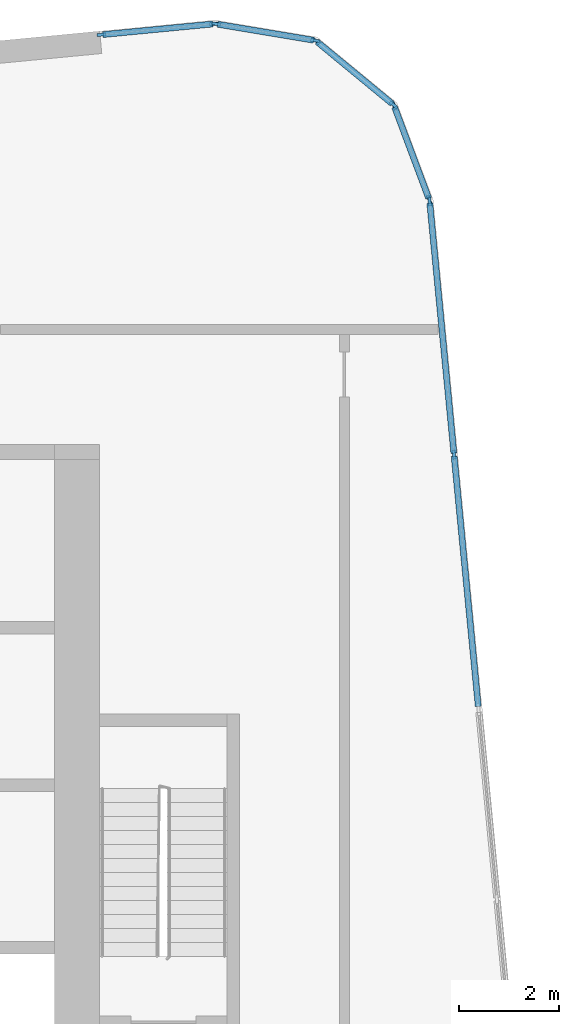
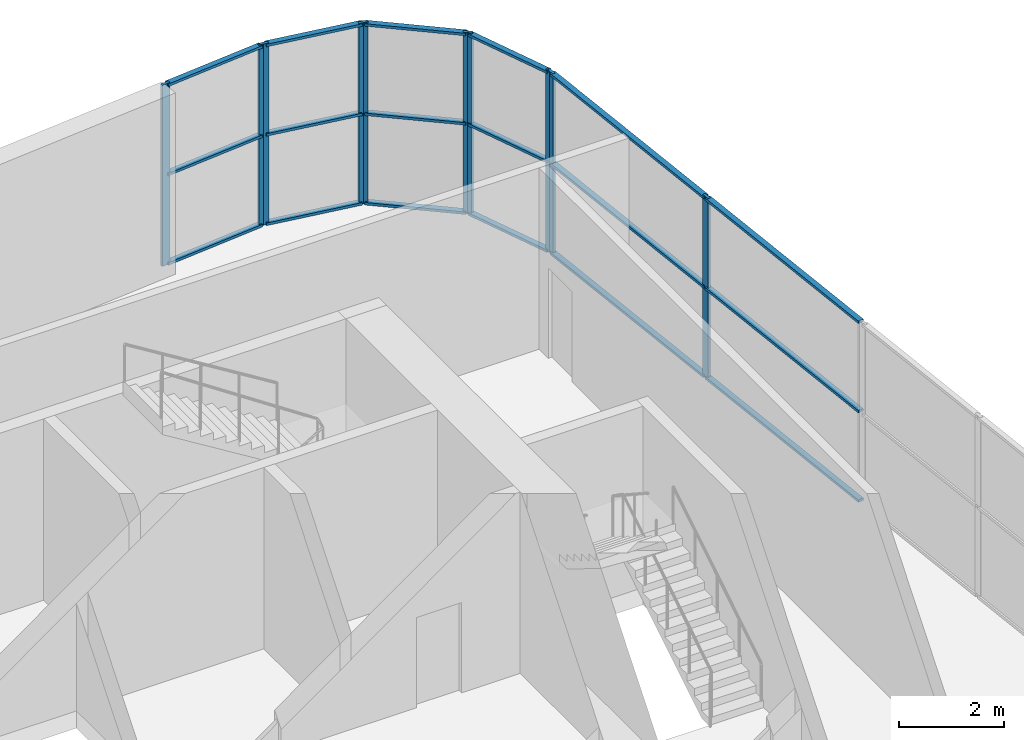
# One storey, part 9 of 21: 28 members, 5 elements without a shape of their own.
"""IFC4 building model written with IfcOpenShell, lengths in metres."""

from ifc_helpers import new_model, si_unit, direction, frame, origin, origin_2d, place, context, subcontext, project, spatial, rectangle, extrude, material, material_profile, profile_set, type_object, element, aggregate, save


model = new_model("IFC4")

# Units and contexts
model_context = context("Model", 3, precision=1e-05, world=origin(), true_north=direction((0.0, 1.0)))
body_context = subcontext(model_context, "Body", "Model", "MODEL_VIEW")
ifc_project = project(units=[si_unit("LENGTHUNIT", "METRE"), si_unit("AREAUNIT", "SQUARE_METRE"), si_unit("VOLUMEUNIT", "CUBIC_METRE"), si_unit("PLANEANGLEUNIT", "RADIAN"), si_unit("MASSUNIT", "GRAM", prefix="KILO")], contexts=[model_context])

# Site, building, storey
site_placement = place(None, origin())
site = spatial("IfcSite", under=ifc_project, at=site_placement, CompositionType="ELEMENT")
building_placement = place(site_placement, origin())
building = spatial("IfcBuilding", under=site, at=building_placement, Name="Kajstack Hotel Tower", CompositionType="ELEMENT")
storey_placement = place(building_placement, frame((0.0, 0.0, 162.39990234375)))
storey = spatial("IfcBuildingStorey", under=building, at=storey_placement, Name="L37", CompositionType="ELEMENT", Elevation=162.39990234375)

# Curtain wall, members
ifc_material_1 = material(Name="Aluminium-framed curtain wall, insulated glass with fritted edge", Category="aluminium")
curtain_wall_type = type_object("IfcCurtainWallType", Name="CW-SPA", PredefinedType="NOTDEFINED", material=ifc_material_1)
curtain_wall_1_placement = place(storey_placement, origin())
curtain_wall_1 = element("IfcCurtainWall", 1, at=curtain_wall_1_placement, inside=storey, type_object=curtain_wall_type, Name="Curtain wall CU7 L37-08-00-2", PredefinedType="NOTDEFINED")
ifc_material_2 = material(Name="Aluminium", Category="aluminium")
ifc_material_profile_1 = material_profile(ifc_material_2, rectangle(XDim=0.06005859375, YDim=0.179931640625, at=origin_2d()), Name="Aluminium mullion 60 x 180")
ifc_profile_set_1 = profile_set([ifc_material_profile_1], Name="Aluminium")
member_type_1 = type_object("IfcMemberType", Name="CW-M-SPA", PredefinedType="MULLION", material=ifc_profile_set_1)
member_1_placement = place(storey_placement, frame((38.595947265625, 15.29248046875, 0.0), z_axis=(0.0, 0.0, 1.0), x_axis=(-0.995396332032, -0.095844364353, 0.0)))
member_1 = element("IfcMember", 2, at=member_1_placement, type_object=member_type_1, Name="CU7 mullion 2", PredefinedType="MULLION", context=body_context, shape_type="SweptSolid", body=[
    extrude(rectangle(XDim=0.06005859375, YDim=0.179931640625, at=origin_2d()), origin(), (0.0, 0.0, 1.0), 4.22021484375),
])
member_2_placement = place(storey_placement, frame((38.10791015625, 20.3623046875, 0.0), z_axis=(0.0, 0.0, 1.0), x_axis=(-0.995396332032, -0.095844364353, 0.0)))
member_2 = element("IfcMember", 3, at=member_2_placement, type_object=member_type_1, Name="CU7 mullion 3", PredefinedType="MULLION", context=body_context, shape_type="SweptSolid", body=[
    extrude(rectangle(XDim=0.06005859375, YDim=0.179931640625, at=origin_2d()), origin(), (0.0, 0.0, 1.0), 4.22021484375),
])

curtain_wall_2_placement = place(storey_placement, origin())
curtain_wall_2 = element("IfcCurtainWall", 4, at=curtain_wall_2_placement, inside=storey, type_object=curtain_wall_type, Name="Curtain wall CU7 L37-09-00-0", PredefinedType="NOTDEFINED")
member_3_placement = place(storey_placement, frame((38.098876953125, 20.401123046875, 0.0), z_axis=(0.0, 0.0, 1.0), x_axis=(-0.936664162844, -0.350228848104, 0.0)))
member_3 = element("IfcMember", 5, at=member_3_placement, type_object=member_type_1, Name="CU7 mullion 1", PredefinedType="MULLION", context=body_context, shape_type="SweptSolid", body=[
    extrude(rectangle(XDim=0.06005859375, YDim=0.179931640625, at=origin_2d()), origin(), (0.0, 0.0, 1.0), 4.22021484375),
])
member_4_placement = place(storey_placement, frame((37.394775390625, 22.284423828125, 0.0), z_axis=(0.0, 0.0, 1.0), x_axis=(-0.936664162844, -0.350228848104, 0.0)))
member_4 = element("IfcMember", 6, at=member_4_placement, type_object=member_type_1, Name="CU7 mullion 2", PredefinedType="MULLION", context=body_context, shape_type="SweptSolid", body=[
    extrude(rectangle(XDim=0.06005859375, YDim=0.179931640625, at=origin_2d()), origin(), (0.0, 0.0, 1.0), 4.22021484375),
])

curtain_wall_3_placement = place(storey_placement, origin())
curtain_wall_3 = element("IfcCurtainWall", 7, at=curtain_wall_3_placement, inside=storey, type_object=curtain_wall_type, Name="Curtain wall CU7 L37-10-00-0", PredefinedType="NOTDEFINED")
member_5_placement = place(storey_placement, frame((37.383544921875, 22.300048828125, 0.0), z_axis=(0.0, 0.0, 1.0), x_axis=(-0.636089777678, -0.771615056057, 0.0)))
member_5 = element("IfcMember", 8, at=member_5_placement, type_object=member_type_1, Name="CU7 mullion 1", PredefinedType="MULLION", context=body_context, shape_type="SweptSolid", body=[
    extrude(rectangle(XDim=0.06005859375, YDim=0.179931640625, at=origin_2d()), origin(), (0.0, 0.0, 1.0), 4.22021484375),
])
member_6_placement = place(storey_placement, frame((35.832275390625, 23.578857421875, 0.0), z_axis=(0.0, 0.0, 1.0), x_axis=(-0.636089777678, -0.771615056057, 0.0)))
member_6 = element("IfcMember", 9, at=member_6_placement, type_object=member_type_1, Name="CU7 mullion 2", PredefinedType="MULLION", context=body_context, shape_type="SweptSolid", body=[
    extrude(rectangle(XDim=0.06005859375, YDim=0.179931640625, at=origin_2d()), origin(), (0.0, 0.0, 1.0), 4.22021484375),
])

curtain_wall_4_placement = place(storey_placement, origin())
curtain_wall_4 = element("IfcCurtainWall", 10, at=curtain_wall_4_placement, inside=storey, type_object=curtain_wall_type, Name="Curtain wall CU7 L37-11-00-0", PredefinedType="NOTDEFINED")
member_7_placement = place(storey_placement, frame((35.81494140625, 23.586669921875, 0.0), z_axis=(0.0, 0.0, 1.0), x_axis=(-0.165025489464, -0.986289302298, 0.0)))
member_7 = element("IfcMember", 11, at=member_7_placement, type_object=member_type_1, Name="CU7 mullion 1", PredefinedType="MULLION", context=body_context, shape_type="SweptSolid", body=[
    extrude(rectangle(XDim=0.06005859375, YDim=0.179931640625, at=origin_2d()), origin(), (0.0, 0.0, 1.0), 4.22021484375),
])
member_8_placement = place(storey_placement, frame((33.831787109375, 23.91845703125, 0.0), z_axis=(0.0, 0.0, 1.0), x_axis=(-0.165025489464, -0.986289302298, 0.0)))
member_8 = element("IfcMember", 12, at=member_8_placement, type_object=member_type_1, Name="CU7 mullion 2", PredefinedType="MULLION", context=body_context, shape_type="SweptSolid", body=[
    extrude(rectangle(XDim=0.06005859375, YDim=0.179931640625, at=origin_2d()), origin(), (0.0, 0.0, 1.0), 4.22021484375),
])

curtain_wall_5_placement = place(storey_placement, origin())
curtain_wall_5 = element("IfcCurtainWall", 13, at=curtain_wall_5_placement, inside=storey, type_object=curtain_wall_type, Name="Curtain wall CU7 L37-12-00-0", PredefinedType="NOTDEFINED")
member_9_placement = place(storey_placement, frame((33.7919921875, 23.919921875, 0.0), z_axis=(0.0, 0.0, 1.0), x_axis=(0.095845303742, -0.995396241579, 0.0)))
member_9 = element("IfcMember", 14, at=member_9_placement, type_object=member_type_1, Name="CU7 mullion 1", PredefinedType="MULLION", context=body_context, shape_type="SweptSolid", body=[
    extrude(rectangle(XDim=0.06005859375, YDim=0.179931640625, at=origin_2d()), origin(), (0.0, 0.0, 1.0), 4.22021484375),
])
member_10_placement = place(storey_placement, frame((31.537109375, 23.702880859375, 0.0), z_axis=(0.0, 0.0, 1.0), x_axis=(0.095845303742, -0.995396241579, 0.0)))
member_10 = element("IfcMember", 15, at=member_10_placement, type_object=member_type_1, Name="CU7 mullion 2", PredefinedType="MULLION", context=body_context, shape_type="SweptSolid", body=[
    extrude(rectangle(XDim=0.06005859375, YDim=0.179931640625, at=origin_2d()), origin(), (0.0, 0.0, 1.0), 4.22021484375),
])

# Member
ifc_material_profile_2 = material_profile(ifc_material_2, rectangle(XDim=0.1201171875, YDim=0.06005859375, at=origin_2d()), Name="Aluminium transom 120 x 60")
ifc_profile_set_2 = profile_set([ifc_material_profile_2], Name="Aluminium")
member_type_2 = type_object("IfcMemberType", Name="CW-T-SPA", PredefinedType="USERDEFINED", material=ifc_profile_set_2)
member_11_placement = place(storey_placement, frame((39.081298828125, 10.25244140625, 0.030029296875), z_axis=(-0.095843645303, 0.995396401267, 0.0), x_axis=(-0.995396401267, -0.095843645303, 0.0)))
member_11 = element("IfcMember", 16, at=member_11_placement, type_object=member_type_2, Name="CU7 transom 1.1", ObjectType="TRANSOM", PredefinedType="USERDEFINED", context=body_context, shape_type="SweptSolid", body=[
    extrude(rectangle(XDim=0.1201171875, YDim=0.06005859375, at=origin_2d()), origin(), (0.0, 0.0, 1.0), 5.033447265625),
])

member_12_placement = place(storey_placement, frame((39.081298828125, 10.25244140625, 2.110107421875), z_axis=(-0.095843645303, 0.995396401267, 0.0), x_axis=(-0.995396401267, -0.095843645303, 0.0)))
member_12 = element("IfcMember", 17, at=member_12_placement, type_object=member_type_2, Name="CU7 transom 1.2", ObjectType="TRANSOM", PredefinedType="USERDEFINED", context=body_context, shape_type="SweptSolid", body=[
    extrude(rectangle(XDim=0.1201171875, YDim=0.06005859375, at=origin_2d()), origin(), (0.0, 0.0, 1.0), 5.033447265625),
])

member_13_placement = place(storey_placement, frame((39.081298828125, 10.25244140625, 4.190185546875), z_axis=(-0.095843645303, 0.995396401267, 0.0), x_axis=(-0.995396401267, -0.095843645303, 0.0)))
member_13 = element("IfcMember", 18, at=member_13_placement, type_object=member_type_2, Name="CU7 transom 1.3", ObjectType="TRANSOM", PredefinedType="USERDEFINED", context=body_context, shape_type="SweptSolid", body=[
    extrude(rectangle(XDim=0.1201171875, YDim=0.06005859375, at=origin_2d()), origin(), (0.0, 0.0, 1.0), 5.033447265625),
])

member_14_placement = place(storey_placement, frame((38.593017578125, 15.322265625, 0.030029296875), z_axis=(-0.095848272912, 0.995395955678, 0.0), x_axis=(-0.995395955678, -0.095848272912, 0.0)))
member_14 = element("IfcMember", 19, at=member_14_placement, type_object=member_type_2, Name="CU7 transom 2.1", ObjectType="TRANSOM", PredefinedType="USERDEFINED", context=body_context, shape_type="SweptSolid", body=[
    extrude(rectangle(XDim=0.1201171875, YDim=0.06005859375, at=origin_2d()), origin(), (0.0, 0.0, 1.0), 5.033203125),
])

member_15_placement = place(storey_placement, frame((38.593017578125, 15.322265625, 2.110107421875), z_axis=(-0.095848272912, 0.995395955678, 0.0), x_axis=(-0.995395955678, -0.095848272912, 0.0)))
member_15 = element("IfcMember", 20, at=member_15_placement, type_object=member_type_2, Name="CU7 transom 2.2", ObjectType="TRANSOM", PredefinedType="USERDEFINED", context=body_context, shape_type="SweptSolid", body=[
    extrude(rectangle(XDim=0.1201171875, YDim=0.06005859375, at=origin_2d()), origin(), (0.0, 0.0, 1.0), 5.033203125),
])

member_16_placement = place(storey_placement, frame((38.593017578125, 15.322265625, 4.190185546875), z_axis=(-0.095848272912, 0.995395955678, 0.0), x_axis=(-0.995395955678, -0.095848272912, 0.0)))
member_16 = element("IfcMember", 21, at=member_16_placement, type_object=member_type_2, Name="CU7 transom 2.3", ObjectType="TRANSOM", PredefinedType="USERDEFINED", context=body_context, shape_type="SweptSolid", body=[
    extrude(rectangle(XDim=0.1201171875, YDim=0.06005859375, at=origin_2d()), origin(), (0.0, 0.0, 1.0), 5.033203125),
])

aggregate(curtain_wall_1, [member_1, member_2, member_11, member_12, member_13, member_14, member_15, member_16])

member_17_placement = place(storey_placement, frame((38.08837890625, 20.42919921875, 0.030029296875), z_axis=(-0.350190587105, 0.936678468154, 0.0), x_axis=(-0.936678468154, -0.350190587105, 0.0)))
member_17 = element("IfcMember", 22, at=member_17_placement, type_object=member_type_2, Name="CU7 transom 1.1", ObjectType="TRANSOM", PredefinedType="USERDEFINED", context=body_context, shape_type="SweptSolid", body=[
    extrude(rectangle(XDim=0.1201171875, YDim=0.06005859375, at=origin_2d()), origin(), (0.0, 0.0, 1.0), 1.95068359375),
])

member_18_placement = place(storey_placement, frame((38.08837890625, 20.42919921875, 2.110107421875), z_axis=(-0.350190587105, 0.936678468154, 0.0), x_axis=(-0.936678468154, -0.350190587105, 0.0)))
member_18 = element("IfcMember", 23, at=member_18_placement, type_object=member_type_2, Name="CU7 transom 1.2", ObjectType="TRANSOM", PredefinedType="USERDEFINED", context=body_context, shape_type="SweptSolid", body=[
    extrude(rectangle(XDim=0.1201171875, YDim=0.06005859375, at=origin_2d()), origin(), (0.0, 0.0, 1.0), 1.95068359375),
])

member_19_placement = place(storey_placement, frame((38.08837890625, 20.42919921875, 4.190185546875), z_axis=(-0.350190587105, 0.936678468154, 0.0), x_axis=(-0.936678468154, -0.350190587105, 0.0)))
member_19 = element("IfcMember", 24, at=member_19_placement, type_object=member_type_2, Name="CU7 transom 1.3", ObjectType="TRANSOM", PredefinedType="USERDEFINED", context=body_context, shape_type="SweptSolid", body=[
    extrude(rectangle(XDim=0.1201171875, YDim=0.06005859375, at=origin_2d()), origin(), (0.0, 0.0, 1.0), 1.95068359375),
])

aggregate(curtain_wall_2, [member_3, member_4, member_17, member_18, member_19])

member_20_placement = place(storey_placement, frame((37.3603515625, 22.319091796875, 0.030029296875), z_axis=(-0.771576013797, 0.63613713532, 0.0), x_axis=(-0.63613713532, -0.771576013797, 0.0)))
member_20 = element("IfcMember", 25, at=member_20_placement, type_object=member_type_2, Name="CU7 transom 1.1", ObjectType="TRANSOM", PredefinedType="USERDEFINED", context=body_context, shape_type="SweptSolid", body=[
    extrude(rectangle(XDim=0.1201171875, YDim=0.06005859375, at=origin_2d()), origin(), (0.0, 0.0, 1.0), 1.950439453125),
])

member_21_placement = place(storey_placement, frame((37.3603515625, 22.319091796875, 2.110107421875), z_axis=(-0.771576013797, 0.63613713532, 0.0), x_axis=(-0.63613713532, -0.771576013797, 0.0)))
member_21 = element("IfcMember", 26, at=member_21_placement, type_object=member_type_2, Name="CU7 transom 1.2", ObjectType="TRANSOM", PredefinedType="USERDEFINED", context=body_context, shape_type="SweptSolid", body=[
    extrude(rectangle(XDim=0.1201171875, YDim=0.06005859375, at=origin_2d()), origin(), (0.0, 0.0, 1.0), 1.950439453125),
])

member_22_placement = place(storey_placement, frame((37.3603515625, 22.319091796875, 4.190185546875), z_axis=(-0.771576013797, 0.63613713532, 0.0), x_axis=(-0.63613713532, -0.771576013797, 0.0)))
member_22 = element("IfcMember", 27, at=member_22_placement, type_object=member_type_2, Name="CU7 transom 1.3", ObjectType="TRANSOM", PredefinedType="USERDEFINED", context=body_context, shape_type="SweptSolid", body=[
    extrude(rectangle(XDim=0.1201171875, YDim=0.06005859375, at=origin_2d()), origin(), (0.0, 0.0, 1.0), 1.950439453125),
])

aggregate(curtain_wall_3, [member_5, member_6, member_20, member_21, member_22])

member_23_placement = place(storey_placement, frame((35.78515625, 23.591796875, 0.030029296875), z_axis=(-0.986299040765, 0.164967276108, 0.0), x_axis=(-0.164967276108, -0.986299040765, 0.0)))
member_23 = element("IfcMember", 28, at=member_23_placement, type_object=member_type_2, Name="CU7 transom 1.1", ObjectType="TRANSOM", PredefinedType="USERDEFINED", context=body_context, shape_type="SweptSolid", body=[
    extrude(rectangle(XDim=0.1201171875, YDim=0.06005859375, at=origin_2d()), origin(), (0.0, 0.0, 1.0), 1.950439453125),
])

member_24_placement = place(storey_placement, frame((35.78515625, 23.591796875, 2.110107421875), z_axis=(-0.986299040765, 0.164967276108, 0.0), x_axis=(-0.164967276108, -0.986299040765, 0.0)))
member_24 = element("IfcMember", 29, at=member_24_placement, type_object=member_type_2, Name="CU7 transom 1.2", ObjectType="TRANSOM", PredefinedType="USERDEFINED", context=body_context, shape_type="SweptSolid", body=[
    extrude(rectangle(XDim=0.1201171875, YDim=0.06005859375, at=origin_2d()), origin(), (0.0, 0.0, 1.0), 1.950439453125),
])

member_25_placement = place(storey_placement, frame((35.78515625, 23.591796875, 4.190185546875), z_axis=(-0.986299040765, 0.164967276108, 0.0), x_axis=(-0.164967276108, -0.986299040765, 0.0)))
member_25 = element("IfcMember", 30, at=member_25_placement, type_object=member_type_2, Name="CU7 transom 1.3", ObjectType="TRANSOM", PredefinedType="USERDEFINED", context=body_context, shape_type="SweptSolid", body=[
    extrude(rectangle(XDim=0.1201171875, YDim=0.06005859375, at=origin_2d()), origin(), (0.0, 0.0, 1.0), 1.950439453125),
])

aggregate(curtain_wall_4, [member_7, member_8, member_23, member_24, member_25])

member_26_placement = place(storey_placement, frame((33.761962890625, 23.9169921875, 0.030029296875), z_axis=(-0.995403956654, -0.095765145424, 0.0), x_axis=(0.095765145424, -0.995403956654, 0.0)))
member_26 = element("IfcMember", 31, at=member_26_placement, type_object=member_type_2, Name="CU7 transom 1.1", ObjectType="TRANSOM", PredefinedType="USERDEFINED", context=body_context, shape_type="SweptSolid", body=[
    extrude(rectangle(XDim=0.1201171875, YDim=0.06005859375, at=origin_2d()), origin(), (0.0, 0.0, 1.0), 2.205322265625),
])

member_27_placement = place(storey_placement, frame((33.761962890625, 23.9169921875, 2.110107421875), z_axis=(-0.995403956654, -0.095765145424, 0.0), x_axis=(0.095765145424, -0.995403956654, 0.0)))
member_27 = element("IfcMember", 32, at=member_27_placement, type_object=member_type_2, Name="CU7 transom 1.2", ObjectType="TRANSOM", PredefinedType="USERDEFINED", context=body_context, shape_type="SweptSolid", body=[
    extrude(rectangle(XDim=0.1201171875, YDim=0.06005859375, at=origin_2d()), origin(), (0.0, 0.0, 1.0), 2.205322265625),
])

member_28_placement = place(storey_placement, frame((33.761962890625, 23.9169921875, 4.190185546875), z_axis=(-0.995403956654, -0.095765145424, 0.0), x_axis=(0.095765145424, -0.995403956654, 0.0)))
member_28 = element("IfcMember", 33, at=member_28_placement, type_object=member_type_2, Name="CU7 transom 1.3", ObjectType="TRANSOM", PredefinedType="USERDEFINED", context=body_context, shape_type="SweptSolid", body=[
    extrude(rectangle(XDim=0.1201171875, YDim=0.06005859375, at=origin_2d()), origin(), (0.0, 0.0, 1.0), 2.205322265625),
])

aggregate(curtain_wall_5, [member_9, member_10, member_26, member_27, member_28])

save(model, "model.ifc")
